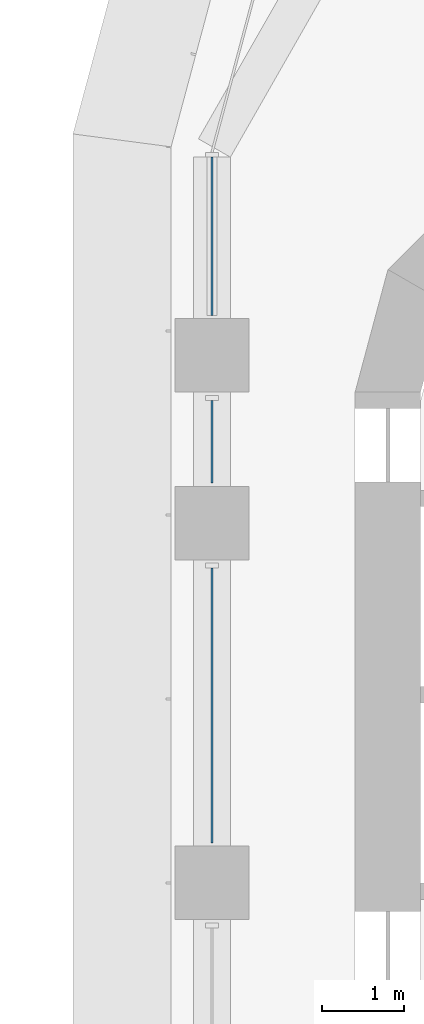
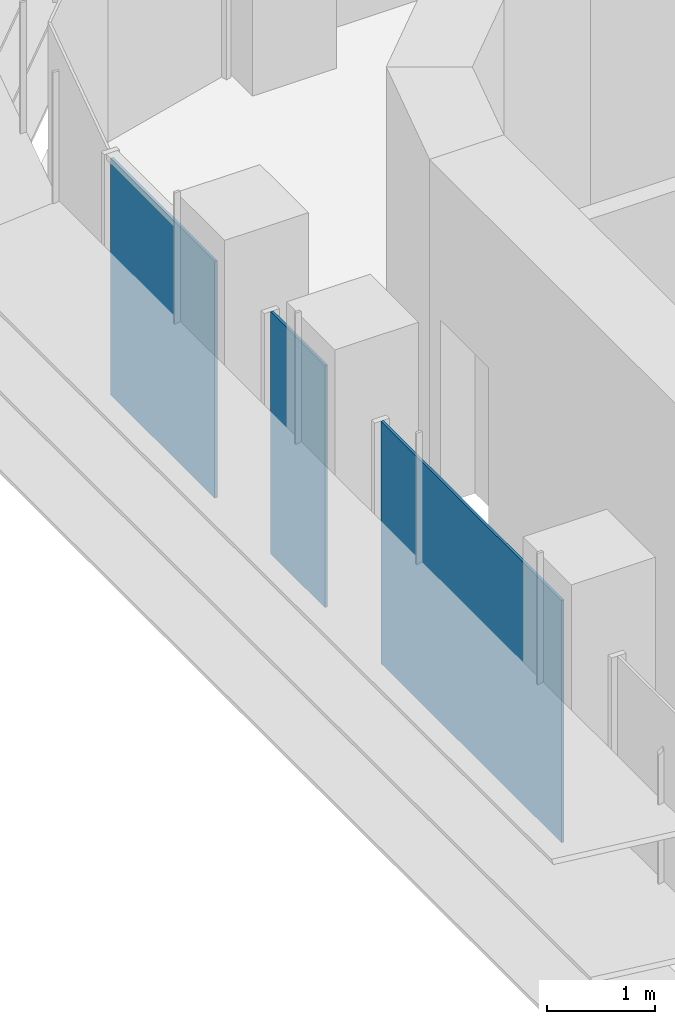
# One storey, part 14 of 23: 3 plates, 1 element without a shape of its own.
"""IFC4 building model written with IfcOpenShell, lengths in metres."""

import ifcopenshell
import ifcopenshell.guid

model = None  # the IFC model being written
_history = None  # IfcOwnerHistory: only IFC2X3 demands one
_inside = {}  # id of a spatial element -> (the spatial element, [elements in it])
_under = {}  # id of a project, library or spatial element -> (it, [spatial elements below it])
_declared = {}  # id of a project -> (the project, [libraries it declares])
_typed = {}  # id of a type object -> (the type object, [elements of that type])
_made_of = {}  # id of a material, layer set ... -> (it, [elements and type objects made of it])


def new_model(schema):
    """Start an empty IFC model of exactly this schema.

    Asked for "IFC4X3", IfcOpenShell would pick the latest addendum, in which some entities
    have other attributes; the version numbers below select the first issue.
    IFC2X3 requires an IfcOwnerHistory on every rooted entity: one is made here for all.
    """
    global model, _history
    if schema == "IFC4X3":
        model = ifcopenshell.file(schema_version=(4, 3, 0, 0))
    else:
        model = ifcopenshell.file(schema=schema)
    _inside.clear()
    _under.clear()
    _declared.clear()
    _typed.clear()
    _made_of.clear()
    _history = None
    if model.schema == "IFC2X3":
        org = make("IfcOrganization", Name="unknown")
        user = make(
            "IfcPersonAndOrganization",
            ThePerson=make("IfcPerson", FamilyName="unknown"),
            TheOrganization=org,
        )
        app = make(
            "IfcApplication",
            ApplicationDeveloper=org,
            Version="unknown",
            ApplicationFullName="unknown",
            ApplicationIdentifier="unknown",
        )
        _history = make(
            "IfcOwnerHistory",
            OwningUser=user,
            OwningApplication=app,
            ChangeAction="ADDED",
            CreationDate=0,
        )
    return model


def make(cls, **values):
    """One entity of the class cls with the attributes given. An attribute that is None is left unset."""
    return model.create_entity(
        cls, **{name: value for name, value in values.items() if value is not None}
    )


def rooted(cls, **values):
    """An entity with a GlobalId (a new one), such as an element, a storey or a relation."""
    return make(cls, GlobalId=ifcopenshell.guid.new(), OwnerHistory=_history, **values)


def si_unit(unit_type, name, prefix=None):
    """IfcSIUnit, for example si_unit("LENGTHUNIT", "METRE", prefix="MILLI")."""
    return make("IfcSIUnit", UnitType=unit_type, Prefix=prefix, Name=name)


def assignment(units):
    """IfcUnitAssignment: the units of a project."""
    return None if units is None else make("IfcUnitAssignment", Units=units)


def point(xyz):
    """IfcCartesianPoint."""
    return None if xyz is None else make("IfcCartesianPoint", Coordinates=xyz)


def direction(xyz):
    """IfcDirection."""
    return None if xyz is None else make("IfcDirection", DirectionRatios=xyz)


def frame(location, z_axis=None, x_axis=None):
    """IfcAxis2Placement3D, a coordinate frame: its origin and axes. An axis left out is left unset."""
    return make(
        "IfcAxis2Placement3D",
        Location=point(location),
        Axis=direction(z_axis),
        RefDirection=direction(x_axis),
    )


def origin():
    """The frame at (0, 0, 0) with its axes left unset."""
    return frame((0.0, 0.0, 0.0))


def place(relative_to, where):
    """IfcLocalPlacement: puts the frame where relative to a parent placement (None: the world)."""
    return make(
        "IfcLocalPlacement", PlacementRelTo=relative_to, RelativePlacement=where
    )


def context(
    kind, dimensions, precision=None, world=None, true_north=None, identifier=None
):
    """IfcGeometricRepresentationContext, for example the 3D "Model" context."""
    return make(
        "IfcGeometricRepresentationContext",
        ContextIdentifier=identifier,
        ContextType=kind,
        CoordinateSpaceDimension=dimensions,
        Precision=precision,
        WorldCoordinateSystem=world,
        TrueNorth=true_north,
    )


def subcontext(parent, identifier, kind, view, scale=None):
    """IfcGeometricRepresentationSubContext, for example "Body" below "Model"."""
    return make(
        "IfcGeometricRepresentationSubContext",
        ContextIdentifier=identifier,
        ContextType=kind,
        ParentContext=parent,
        TargetScale=scale,
        TargetView=view,
    )


def project(units=None, contexts=None):
    """IfcProject with its units and contexts."""
    return rooted(
        "IfcProject",
        Name="project",
        RepresentationContexts=contexts,
        UnitsInContext=assignment(units),
    )


def spatial(cls, under=None, at=None, **own):
    """A site, building, storey or space (cls), placed at a placement, below another one or the project."""
    s = rooted(cls, ObjectPlacement=at, **own)
    if under is not None:
        _under.setdefault(under.id(), (under, []))[1].append(s)
    return s


def polyline(points):
    """IfcPolyline through the points."""
    return make("IfcPolyline", Points=[point(p) for p in points])


def outline(outer, holes=None, kind="AREA"):
    """IfcArbitraryClosedProfileDef: a profile drawn as a closed curve; with holes, ...WithVoids."""
    if holes is None:
        return make("IfcArbitraryClosedProfileDef", ProfileType=kind, OuterCurve=outer)
    return make(
        "IfcArbitraryProfileDefWithVoids",
        ProfileType=kind,
        OuterCurve=outer,
        InnerCurves=holes,
    )


def extrude(swept, where, along, depth):
    """IfcExtrudedAreaSolid: the profile swept, set in the frame where, extruded along a direction by depth."""
    return make(
        "IfcExtrudedAreaSolid",
        SweptArea=swept,
        Position=where,
        ExtrudedDirection=direction(along),
        Depth=depth,
    )


def shape(context_of_items, identifier, shape_type, items):
    """IfcShapeRepresentation: the items that make up one representation, for example the "Body"."""
    return make(
        "IfcShapeRepresentation",
        ContextOfItems=context_of_items,
        RepresentationIdentifier=identifier,
        RepresentationType=shape_type,
        Items=items,
    )


def source(mapping_origin, context_of_items, identifier, shape_type, items):
    """IfcRepresentationMap: a shape defined once, which mapped items show again and again."""
    return make(
        "IfcRepresentationMap",
        MappingOrigin=mapping_origin,
        MappedRepresentation=shape(context_of_items, identifier, shape_type, items),
    )


def transform(
    local_origin,
    x_axis=None,
    y_axis=None,
    z_axis=None,
    scale=None,
    scale2=None,
    scale3=None,
    uniform=True,
):
    """IfcCartesianTransformationOperator3D, or its non-uniform kind. x_axis, y_axis, z_axis: its Axis1, 2, 3."""
    if uniform:
        return make(
            "IfcCartesianTransformationOperator3D",
            Axis1=direction(x_axis),
            Axis2=direction(y_axis),
            LocalOrigin=point(local_origin),
            Scale=scale,
            Axis3=direction(z_axis),
        )
    return make(
        "IfcCartesianTransformationOperator3DnonUniform",
        Axis1=direction(x_axis),
        Axis2=direction(y_axis),
        LocalOrigin=point(local_origin),
        Scale=scale,
        Axis3=direction(z_axis),
        Scale2=scale2,
        Scale3=scale3,
    )


def mapped(mapping_source, mapping_target):
    """IfcMappedItem: shows the shape of a source again, moved by a transform."""
    return make(
        "IfcMappedItem", MappingSource=mapping_source, MappingTarget=mapping_target
    )


def material(Name=None, Category=None):
    """IfcMaterial."""
    return make("IfcMaterial", Name=Name, Category=Category)


def layer(
    of_material, thickness, ventilated=None, Name=None, Category=None, Priority=None
):
    """IfcMaterialLayer: one layer of a wall or slab, of a material (None: an air gap)."""
    return make(
        "IfcMaterialLayer",
        Material=of_material,
        LayerThickness=thickness,
        IsVentilated=ventilated,
        Name=Name,
        Category=Category,
        Priority=Priority,
    )


def layer_set(layers, Name=None):
    """IfcMaterialLayerSet."""
    return make("IfcMaterialLayerSet", MaterialLayers=layers, LayerSetName=Name)


def made_of(thing, what):
    """Note that an element or type object is made of a material, layer set ...; save() writes the relation."""
    if what is not None:
        _made_of.setdefault(what.id(), (what, []))[1].append(thing)
    return thing


def type_object(cls, material=None, **own):
    """A type object (cls), such as IfcWallType, which elements share."""
    return made_of(rooted(cls, **own), material)


def element(
    cls,
    number,
    at=None,
    inside=None,
    cuts=None,
    type_object=None,
    material=None,
    context=None,
    identifier="Body",
    shape_type=None,
    held_by="IfcProductDefinitionShape",
    body=None,
    shapes=None,
    **own,
):
    """One element of the class cls, such as IfcWall. Its Tag is "e" and its number.

    at: its placement. inside: the storey or other place that contains it. cuts: it is an
    opening in that element (IfcRelVoidsElement). A single representation is given by context,
    identifier, shape_type and body (its items); several are given by shapes. held_by: the class
    of the entity that holds the representations. save() writes the other relations.
    """
    e = rooted(cls, Tag="e%d" % number, ObjectPlacement=at, **own)
    if body is not None:
        shapes = [shape(context, identifier, shape_type, body)]
    if shapes is not None:
        e.Representation = make(held_by, Representations=shapes)
    if inside is not None:
        _inside.setdefault(inside.id(), (inside, []))[1].append(e)
    if cuts is not None:
        rooted(
            "IfcRelVoidsElement", RelatingBuildingElement=cuts, RelatedOpeningElement=e
        )
    if type_object is not None:
        _typed.setdefault(type_object.id(), (type_object, []))[1].append(e)
    return made_of(e, material)


def aggregate(whole, parts):
    """IfcRelAggregates: a whole, such as a stair, and the parts it consists of."""
    return rooted("IfcRelAggregates", RelatingObject=whole, RelatedObjects=parts)


def save(model, path):
    """Write the relations noted so far, then the file.

    IfcRelAggregates (storeys below a building ...), IfcRelContainedInSpatialStructure (elements
    in a storey), IfcRelDefinesByType, IfcRelAssociatesMaterial and IfcRelDeclares: one each for
    every whole, place, type object, material and project.
    """
    for whole, parts in _under.values():
        aggregate(whole, parts)
    for where, things in _inside.values():
        rooted(
            "IfcRelContainedInSpatialStructure",
            RelatedElements=things,
            RelatingStructure=where,
        )
    for kind, things in _typed.values():
        rooted("IfcRelDefinesByType", RelatedObjects=things, RelatingType=kind)
    for what, things in _made_of.values():
        rooted("IfcRelAssociatesMaterial", RelatedObjects=things, RelatingMaterial=what)
    for by, libraries in _declared.values():
        rooted("IfcRelDeclares", RelatingContext=by, RelatedDefinitions=libraries)
    model.write(path)


model = new_model("IFC4")

# Units and contexts
model_context = context("Model", 3, precision=1e-05, world=origin(), true_north=direction((0.0, 1.0)))
body_context = subcontext(model_context, "Body", "Model", "MODEL_VIEW")
ifc_project = project(units=[si_unit("LENGTHUNIT", "METRE"), si_unit("AREAUNIT", "SQUARE_METRE"), si_unit("VOLUMEUNIT", "CUBIC_METRE"), si_unit("PLANEANGLEUNIT", "RADIAN"), si_unit("MASSUNIT", "GRAM", prefix="KILO")], contexts=[model_context])

# Site, building, storey
site_placement = place(None, origin())
site = spatial("IfcSite", under=ifc_project, at=site_placement, CompositionType="ELEMENT")
building_placement = place(site_placement, origin())
building = spatial("IfcBuilding", under=site, at=building_placement, Name="Zarbagh Exchange Tower", CompositionType="ELEMENT")
storey_placement = place(building_placement, frame((0.0, 0.0, 86.60009765625)))
storey = spatial("IfcBuildingStorey", under=building, at=storey_placement, Name="L19", CompositionType="ELEMENT", Elevation=86.60009765625)

# Curtain wall, plates
ifc_material_1 = material(Name="Anodised aluminium frame and glazing", Category="aluminium")
curtain_wall_type = type_object("IfcCurtainWallType", Name="CWA Ribbon glazing, lower zones", PredefinedType="NOTDEFINED", material=ifc_material_1)
curtain_wall_placement = place(storey_placement, origin())
curtain_wall = element("IfcCurtainWall", 1, at=curtain_wall_placement, inside=storey, type_object=curtain_wall_type, Name="CWA28 curtain wall", PredefinedType="NOTDEFINED")
ifc_material_2 = material(Name="Low-e double glazed unit, 6+12+6 mm")
ifc_layer = layer(ifc_material_2, 0.028076171875)
ifc_layer_set = layer_set([ifc_layer], Name="PAA Glazing panel, Low-e double glazed unit, 6+12+6 mm")
plate_type = type_object("IfcPlateType", Name="PAA Glazing panel, Low-e double glazed unit, 6+12+6 mm", PredefinedType="CURTAIN_PANEL", material=ifc_layer_set)
shared_shape_1 = source(origin(), body_context, "Body", "SweptSolid", [
    extrude(outline(polyline([(0.0, -0.013916015625), (3.360107421875, -0.013916015625), (3.360107421875, 0.013916015625), (0.0, 0.013916015625), (0.0, -0.013916015625)])), origin(), (0.0, 0.0, 1.0), 2.75),
])
placement = place(storey_placement, origin())
plate_1 = element("IfcPlate", 2, at=placement, type_object=plate_type, Name="CWA28 glazing panel 3.1", PredefinedType="CURTAIN_PANEL", context=body_context, shape_type="MappedRepresentation", body=[
    mapped(shared_shape_1, transform((-6.25, 24.099853515625, 0.0), x_axis=(0.0, -1.0, 0.0), y_axis=(1.0, 0.0, 0.0), z_axis=(0.0, 0.0, 1.0))),
])
shared_shape_2 = source(origin(), body_context, "Body", "SweptSolid", [
    extrude(outline(polyline([(0.0, -0.013916015625), (1.010009765625, -0.013916015625), (1.010009765625, 0.013916015625), (0.0, 0.013916015625), (0.0, -0.013916015625)])), origin(), (0.0, 0.0, 1.0), 2.75),
])
plate_2 = element("IfcPlate", 3, at=placement, type_object=plate_type, Name="CWA28 glazing panel 2.1", PredefinedType="CURTAIN_PANEL", context=body_context, shape_type="MappedRepresentation", body=[
    mapped(shared_shape_2, transform((-6.25, 26.14990234375, 0.0), x_axis=(0.0, -1.0, 0.0), y_axis=(1.0, 0.0, 0.0), z_axis=(0.0, 0.0, 1.0))),
])
shared_shape_3 = source(origin(), body_context, "Body", "SweptSolid", [
    extrude(outline(polyline([(0.0, -0.013916015625), (1.93408203125, -0.013916015625), (1.93408203125, 0.013916015625), (0.0, 0.013916015625), (0.0, -0.013916015625)])), origin(), (0.0, 0.0, 1.0), 2.68994140625),
])
plate_3 = element("IfcPlate", 4, at=placement, type_object=plate_type, Name="CWA28 glazing panel 1.1", PredefinedType="CURTAIN_PANEL", context=body_context, shape_type="MappedRepresentation", body=[
    mapped(shared_shape_3, transform((-6.25, 29.124267578125, 0.0), x_axis=(0.0, -1.0, 0.0), y_axis=(1.0, 0.0, 0.0), z_axis=(0.0, 0.0, 1.0))),
])
aggregate(curtain_wall, [plate_3, plate_2, plate_1])

save(model, "model.ifc")
